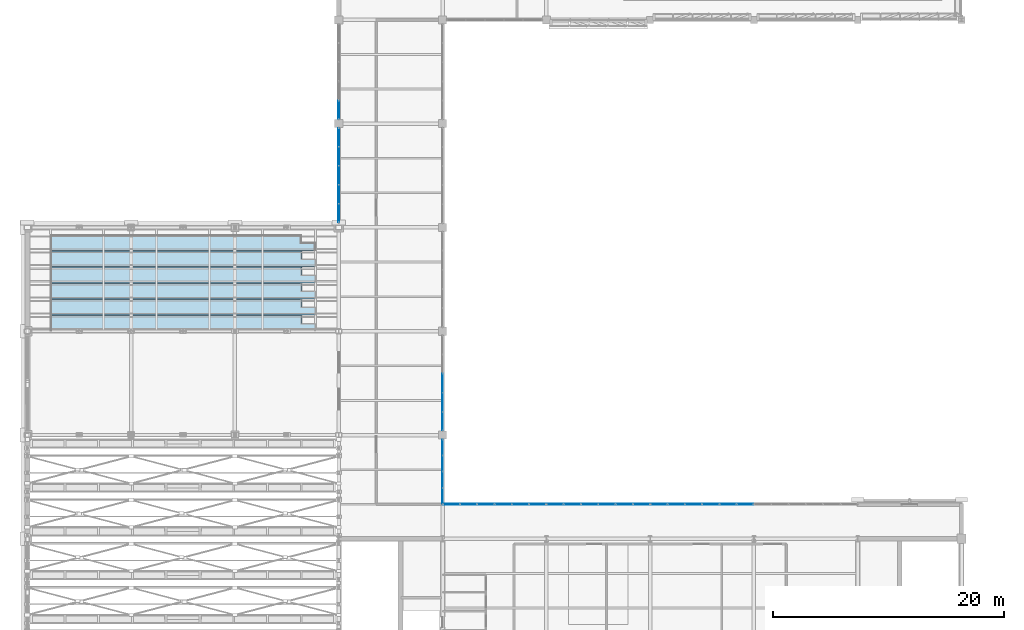
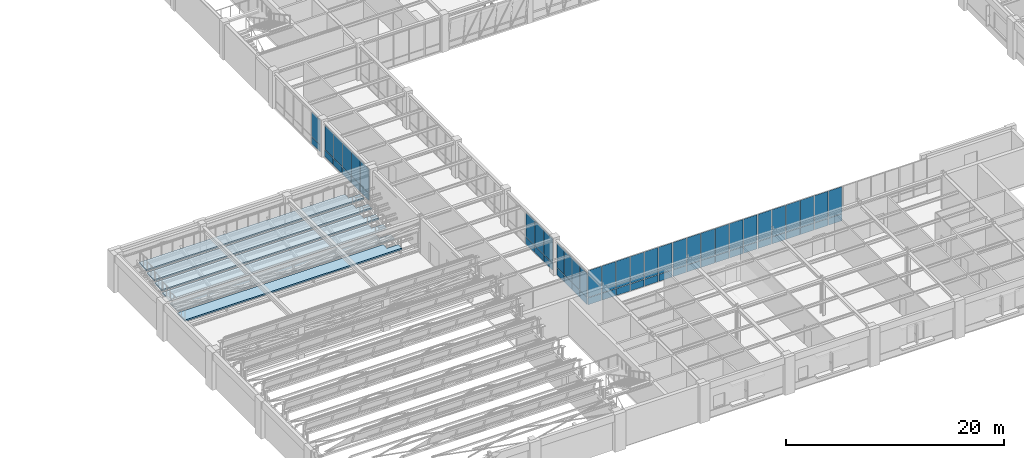
# One storey, part 80 of 108: 62 plates, 6 slabs, 7 elements without a shape of their own.
"""IFC4 building model written with IfcOpenShell, lengths in metres."""

from ifc_helpers import new_model, si_unit, direction, frame, origin, origin_2d, place, context, subcontext, project, spatial, polyline, rectangle, outline, extrude, material, layer, layer_set, type_object, element, aggregate, save


model = new_model("IFC4")

# Units and contexts
model_context = context("Model", 3, precision=1e-05, world=origin(), true_north=direction((0.0, 1.0)))
body_context = subcontext(model_context, "Body", "Model", "MODEL_VIEW")
ifc_project = project(units=[si_unit("LENGTHUNIT", "METRE"), si_unit("AREAUNIT", "SQUARE_METRE"), si_unit("VOLUMEUNIT", "CUBIC_METRE"), si_unit("PLANEANGLEUNIT", "RADIAN"), si_unit("MASSUNIT", "GRAM", prefix="KILO")], contexts=[model_context])

# Site, building, storey
site_placement = place(None, origin())
site = spatial("IfcSite", under=ifc_project, at=site_placement, CompositionType="ELEMENT")
building_placement = place(site_placement, origin())
building = spatial("IfcBuilding", under=site, at=building_placement, Name="Lykobir Media Centre", CompositionType="ELEMENT")
storey_placement = place(building_placement, frame((0.0, 0.0, 15.0)))
storey = spatial("IfcBuildingStorey", under=building, at=storey_placement, Name="L03", CompositionType="ELEMENT", Elevation=15.0)

# Curtain wall, plates
ifc_material_1 = material(Name="Anodized Aluminium AW-6060", Category="aluminium")
curtain_wall_type = type_object("IfcCurtainWallType", Name="CW-COURT-B", PredefinedType="NOTDEFINED", material=ifc_material_1)
curtain_wall_1_placement = place(storey_placement, origin())
curtain_wall_1 = element("IfcCurtainWall", 1, at=curtain_wall_1_placement, inside=storey, type_object=curtain_wall_type, Name="Curtain wall CW2-L03-0111", PredefinedType="NOTDEFINED")
ifc_material_2 = material(Name="Low-E Laminated Triple Glazing", Category="glass")
ifc_layer_1 = layer(ifc_material_2, 0.0380859375, Name="Low-E Laminated Triple Glazing")
ifc_layer_set_1 = layer_set([ifc_layer_1], Name="Low-E Laminated Triple Glazing")
plate_type_1 = type_object("IfcPlateType", Name="CWP-GLZ-38", PredefinedType="CURTAIN_PANEL", material=ifc_layer_set_1)
plate_1_placement = place(storey_placement, frame((36.763916015625, 21.0, 0.87744140625), z_axis=(0.0, 0.0, 1.0), x_axis=(1.0, 0.0, 0.0)))
plate_1 = element("IfcPlate", 2, at=plate_1_placement, type_object=plate_type_1, Name="CW2-L03-0111 panel 1.2", PredefinedType="CURTAIN_PANEL", context=body_context, shape_type="SweptSolid", body=[
    extrude(rectangle(XDim=1.41748046875, YDim=0.0380859375, at=origin_2d()), origin(), (0.0, 0.0, 1.0), 3.007568359375),
])
plate_2_placement = place(storey_placement, frame((38.25, 21.0, 0.87744140625), z_axis=(0.0, 0.0, 1.0), x_axis=(1.0, 0.0, 0.0)))
plate_2 = element("IfcPlate", 3, at=plate_2_placement, type_object=plate_type_1, Name="CW2-L03-0111 panel 2.2", PredefinedType="CURTAIN_PANEL", context=body_context, shape_type="SweptSolid", body=[
    extrude(rectangle(XDim=1.445068359375, YDim=0.0380859375, at=origin_2d()), origin(), (0.0, 0.0, 1.0), 3.007568359375),
])
plate_3_placement = place(storey_placement, frame((39.75, 21.0, 0.87744140625), z_axis=(0.0, 0.0, 1.0), x_axis=(1.0, 0.0, 0.0)))
plate_3 = element("IfcPlate", 4, at=plate_3_placement, type_object=plate_type_1, Name="CW2-L03-0111 panel 3.2", PredefinedType="CURTAIN_PANEL", context=body_context, shape_type="SweptSolid", body=[
    extrude(rectangle(XDim=1.445068359375, YDim=0.0380859375, at=origin_2d()), origin(), (0.0, 0.0, 1.0), 3.007568359375),
])
plate_4_placement = place(storey_placement, frame((41.25, 21.0, 0.87744140625), z_axis=(0.0, 0.0, 1.0), x_axis=(1.0, 0.0, 0.0)))
plate_4 = element("IfcPlate", 5, at=plate_4_placement, type_object=plate_type_1, Name="CW2-L03-0111 panel 4.2", PredefinedType="CURTAIN_PANEL", context=body_context, shape_type="SweptSolid", body=[
    extrude(rectangle(XDim=1.445068359375, YDim=0.0380859375, at=origin_2d()), origin(), (0.0, 0.0, 1.0), 3.007568359375),
])
plate_5_placement = place(storey_placement, frame((42.75, 21.0, 0.87744140625), z_axis=(0.0, 0.0, 1.0), x_axis=(1.0, 0.0, 0.0)))
plate_5 = element("IfcPlate", 6, at=plate_5_placement, type_object=plate_type_1, Name="CW2-L03-0111 panel 5.2", PredefinedType="CURTAIN_PANEL", context=body_context, shape_type="SweptSolid", body=[
    extrude(rectangle(XDim=1.445068359375, YDim=0.0380859375, at=origin_2d()), origin(), (0.0, 0.0, 1.0), 3.007568359375),
])
plate_6_placement = place(storey_placement, frame((44.236083984375, 21.0, 0.87744140625), z_axis=(0.0, 0.0, 1.0), x_axis=(1.0, 0.0, 0.0)))
plate_6 = element("IfcPlate", 7, at=plate_6_placement, type_object=plate_type_1, Name="CW2-L03-0111 panel 6.2", PredefinedType="CURTAIN_PANEL", context=body_context, shape_type="SweptSolid", body=[
    extrude(rectangle(XDim=1.41748046875, YDim=0.0380859375, at=origin_2d()), origin(), (0.0, 0.0, 1.0), 3.007568359375),
])

curtain_wall_2_placement = place(storey_placement, origin())
curtain_wall_2 = element("IfcCurtainWall", 8, at=curtain_wall_2_placement, inside=storey, type_object=curtain_wall_type, Name="Curtain wall CW2-L03-0112", PredefinedType="NOTDEFINED")
plate_7_placement = place(storey_placement, frame((45.763916015625, 21.0, 0.87744140625), z_axis=(0.0, 0.0, 1.0), x_axis=(1.0, 0.0, 0.0)))
plate_7 = element("IfcPlate", 9, at=plate_7_placement, type_object=plate_type_1, Name="CW2-L03-0112 panel 1.2", PredefinedType="CURTAIN_PANEL", context=body_context, shape_type="SweptSolid", body=[
    extrude(rectangle(XDim=1.41748046875, YDim=0.0380859375, at=origin_2d()), origin(), (0.0, 0.0, 1.0), 3.007568359375),
])
plate_8_placement = place(storey_placement, frame((47.25, 21.0, 0.87744140625), z_axis=(0.0, 0.0, 1.0), x_axis=(1.0, 0.0, 0.0)))
plate_8 = element("IfcPlate", 10, at=plate_8_placement, type_object=plate_type_1, Name="CW2-L03-0112 panel 2.2", PredefinedType="CURTAIN_PANEL", context=body_context, shape_type="SweptSolid", body=[
    extrude(rectangle(XDim=1.445068359375, YDim=0.0380859375, at=origin_2d()), origin(), (0.0, 0.0, 1.0), 3.007568359375),
])
plate_9_placement = place(storey_placement, frame((48.75, 21.0, 0.87744140625), z_axis=(0.0, 0.0, 1.0), x_axis=(1.0, 0.0, 0.0)))
plate_9 = element("IfcPlate", 11, at=plate_9_placement, type_object=plate_type_1, Name="CW2-L03-0112 panel 3.2", PredefinedType="CURTAIN_PANEL", context=body_context, shape_type="SweptSolid", body=[
    extrude(rectangle(XDim=1.445068359375, YDim=0.0380859375, at=origin_2d()), origin(), (0.0, 0.0, 1.0), 3.007568359375),
])
plate_10_placement = place(storey_placement, frame((50.25, 21.0, 0.87744140625), z_axis=(0.0, 0.0, 1.0), x_axis=(1.0, 0.0, 0.0)))
plate_10 = element("IfcPlate", 12, at=plate_10_placement, type_object=plate_type_1, Name="CW2-L03-0112 panel 4.2", PredefinedType="CURTAIN_PANEL", context=body_context, shape_type="SweptSolid", body=[
    extrude(rectangle(XDim=1.445068359375, YDim=0.0380859375, at=origin_2d()), origin(), (0.0, 0.0, 1.0), 3.007568359375),
])
plate_11_placement = place(storey_placement, frame((51.75, 21.0, 0.87744140625), z_axis=(0.0, 0.0, 1.0), x_axis=(1.0, 0.0, 0.0)))
plate_11 = element("IfcPlate", 13, at=plate_11_placement, type_object=plate_type_1, Name="CW2-L03-0112 panel 5.2", PredefinedType="CURTAIN_PANEL", context=body_context, shape_type="SweptSolid", body=[
    extrude(rectangle(XDim=1.445068359375, YDim=0.0380859375, at=origin_2d()), origin(), (0.0, 0.0, 1.0), 3.007568359375),
])
plate_12_placement = place(storey_placement, frame((53.236083984375, 21.0, 0.87744140625), z_axis=(0.0, 0.0, 1.0), x_axis=(1.0, 0.0, 0.0)))
plate_12 = element("IfcPlate", 14, at=plate_12_placement, type_object=plate_type_1, Name="CW2-L03-0112 panel 6.2", PredefinedType="CURTAIN_PANEL", context=body_context, shape_type="SweptSolid", body=[
    extrude(rectangle(XDim=1.41748046875, YDim=0.0380859375, at=origin_2d()), origin(), (0.0, 0.0, 1.0), 3.007568359375),
])

curtain_wall_3_placement = place(storey_placement, origin())
curtain_wall_3 = element("IfcCurtainWall", 15, at=curtain_wall_3_placement, inside=storey, type_object=curtain_wall_type, Name="Curtain wall CW2-L03-0113", PredefinedType="NOTDEFINED")
plate_13_placement = place(storey_placement, frame((54.763916015625, 21.0, 0.87744140625), z_axis=(0.0, 0.0, 1.0), x_axis=(1.0, 0.0, 0.0)))
plate_13 = element("IfcPlate", 16, at=plate_13_placement, type_object=plate_type_1, Name="CW2-L03-0113 panel 1.2", PredefinedType="CURTAIN_PANEL", context=body_context, shape_type="SweptSolid", body=[
    extrude(rectangle(XDim=1.41748046875, YDim=0.0380859375, at=origin_2d()), origin(), (0.0, 0.0, 1.0), 3.007568359375),
])
plate_14_placement = place(storey_placement, frame((56.25, 21.0, 0.87744140625), z_axis=(0.0, 0.0, 1.0), x_axis=(1.0, 0.0, 0.0)))
plate_14 = element("IfcPlate", 17, at=plate_14_placement, type_object=plate_type_1, Name="CW2-L03-0113 panel 2.2", PredefinedType="CURTAIN_PANEL", context=body_context, shape_type="SweptSolid", body=[
    extrude(rectangle(XDim=1.445068359375, YDim=0.0380859375, at=origin_2d()), origin(), (0.0, 0.0, 1.0), 3.007568359375),
])
plate_15_placement = place(storey_placement, frame((57.75, 21.0, 0.87744140625), z_axis=(0.0, 0.0, 1.0), x_axis=(1.0, 0.0, 0.0)))
plate_15 = element("IfcPlate", 18, at=plate_15_placement, type_object=plate_type_1, Name="CW2-L03-0113 panel 3.2", PredefinedType="CURTAIN_PANEL", context=body_context, shape_type="SweptSolid", body=[
    extrude(rectangle(XDim=1.445068359375, YDim=0.0380859375, at=origin_2d()), origin(), (0.0, 0.0, 1.0), 3.007568359375),
])
plate_16_placement = place(storey_placement, frame((59.25, 21.0, 0.87744140625), z_axis=(0.0, 0.0, 1.0), x_axis=(1.0, 0.0, 0.0)))
plate_16 = element("IfcPlate", 19, at=plate_16_placement, type_object=plate_type_1, Name="CW2-L03-0113 panel 4.2", PredefinedType="CURTAIN_PANEL", context=body_context, shape_type="SweptSolid", body=[
    extrude(rectangle(XDim=1.445068359375, YDim=0.0380859375, at=origin_2d()), origin(), (0.0, 0.0, 1.0), 3.007568359375),
])
plate_17_placement = place(storey_placement, frame((60.75, 21.0, 0.87744140625), z_axis=(0.0, 0.0, 1.0), x_axis=(1.0, 0.0, 0.0)))
plate_17 = element("IfcPlate", 20, at=plate_17_placement, type_object=plate_type_1, Name="CW2-L03-0113 panel 5.2", PredefinedType="CURTAIN_PANEL", context=body_context, shape_type="SweptSolid", body=[
    extrude(rectangle(XDim=1.445068359375, YDim=0.0380859375, at=origin_2d()), origin(), (0.0, 0.0, 1.0), 3.007568359375),
])
plate_18_placement = place(storey_placement, frame((62.236083984375, 21.0, 0.87744140625), z_axis=(0.0, 0.0, 1.0), x_axis=(1.0, 0.0, 0.0)))
plate_18 = element("IfcPlate", 21, at=plate_18_placement, type_object=plate_type_1, Name="CW2-L03-0113 panel 6.2", PredefinedType="CURTAIN_PANEL", context=body_context, shape_type="SweptSolid", body=[
    extrude(rectangle(XDim=1.41748046875, YDim=0.0380859375, at=origin_2d()), origin(), (0.0, 0.0, 1.0), 3.007568359375),
])

curtain_wall_4_placement = place(storey_placement, origin())
curtain_wall_4 = element("IfcCurtainWall", 22, at=curtain_wall_4_placement, inside=storey, type_object=curtain_wall_type, Name="Curtain wall CW2-L03-0115", PredefinedType="NOTDEFINED")
plate_19_placement = place(storey_placement, frame((36.0, 25.925537109375, 0.87744140625), z_axis=(0.0, 0.0, 1.0), x_axis=(0.0, -1.0, 0.0)))
plate_19 = element("IfcPlate", 23, at=plate_19_placement, type_object=plate_type_1, Name="CW2-L03-0115 panel 1.2", PredefinedType="CURTAIN_PANEL", context=body_context, shape_type="SweptSolid", body=[
    extrude(rectangle(XDim=1.32861328125, YDim=0.0380859375, at=origin_2d()), origin(), (0.0, 0.0, 1.0), 2.702392578125),
])
plate_20_placement = place(storey_placement, frame((36.0, 24.528076171875, 0.87744140625), z_axis=(0.0, 0.0, 1.0), x_axis=(0.0, -1.0, 0.0)))
plate_20 = element("IfcPlate", 24, at=plate_20_placement, type_object=plate_type_1, Name="CW2-L03-0115 panel 2.2", PredefinedType="CURTAIN_PANEL", context=body_context, shape_type="SweptSolid", body=[
    extrude(rectangle(XDim=1.356201171875, YDim=0.0380859375, at=origin_2d()), origin(), (0.0, 0.0, 1.0), 2.702392578125),
])
plate_21_placement = place(storey_placement, frame((36.0, 23.116943359375, 0.87744140625), z_axis=(0.0, 0.0, 1.0), x_axis=(0.0, -1.0, 0.0)))
plate_21 = element("IfcPlate", 25, at=plate_21_placement, type_object=plate_type_1, Name="CW2-L03-0115 panel 3.2", PredefinedType="CURTAIN_PANEL", context=body_context, shape_type="SweptSolid", body=[
    extrude(rectangle(XDim=1.356201171875, YDim=0.0380859375, at=origin_2d()), origin(), (0.0, 0.0, 1.0), 2.702392578125),
])
plate_22_placement = place(storey_placement, frame((36.0, 21.719482421875, 0.87744140625), z_axis=(0.0, 0.0, 1.0), x_axis=(0.0, -1.0, 0.0)))
plate_22 = element("IfcPlate", 26, at=plate_22_placement, type_object=plate_type_1, Name="CW2-L03-0115 panel 4.2", PredefinedType="CURTAIN_PANEL", context=body_context, shape_type="SweptSolid", body=[
    extrude(rectangle(XDim=1.328857421875, YDim=0.0380859375, at=origin_2d()), origin(), (0.0, 0.0, 1.0), 2.702392578125),
])

curtain_wall_5_placement = place(storey_placement, origin())
curtain_wall_5 = element("IfcCurtainWall", 27, at=curtain_wall_5_placement, inside=storey, type_object=curtain_wall_type, Name="Curtain wall CW2-L03-0116", PredefinedType="NOTDEFINED")
plate_23_placement = place(storey_placement, frame((36.0, 31.5, 0.87744140625), z_axis=(0.0, 0.0, 1.0), x_axis=(0.0, -1.0, 0.0)))
plate_23 = element("IfcPlate", 28, at=plate_23_placement, type_object=plate_type_1, Name="CW2-L03-0116 panel 3.2", PredefinedType="CURTAIN_PANEL", context=body_context, shape_type="SweptSolid", body=[
    extrude(rectangle(XDim=1.60302734375, YDim=0.0380859375, at=origin_2d()), origin(), (0.0, 0.0, 1.0), 2.702392578125),
])
plate_24_placement = place(storey_placement, frame((36.0, 29.842041015625, 0.87744140625), z_axis=(0.0, 0.0, 1.0), x_axis=(0.0, -1.0, 0.0)))
plate_24 = element("IfcPlate", 29, at=plate_24_placement, type_object=plate_type_1, Name="CW2-L03-0116 panel 4.2", PredefinedType="CURTAIN_PANEL", context=body_context, shape_type="SweptSolid", body=[
    extrude(rectangle(XDim=1.60302734375, YDim=0.0380859375, at=origin_2d()), origin(), (0.0, 0.0, 1.0), 2.702392578125),
])
plate_25_placement = place(storey_placement, frame((36.0, 28.19775390625, 0.87744140625), z_axis=(0.0, 0.0, 1.0), x_axis=(0.0, -1.0, 0.0)))
plate_25 = element("IfcPlate", 30, at=plate_25_placement, type_object=plate_type_1, Name="CW2-L03-0116 panel 5.2", PredefinedType="CURTAIN_PANEL", context=body_context, shape_type="SweptSolid", body=[
    extrude(rectangle(XDim=1.575439453125, YDim=0.0380859375, at=origin_2d()), origin(), (0.0, 0.0, 1.0), 2.702392578125),
])

curtain_wall_6_placement = place(storey_placement, origin())
curtain_wall_6 = element("IfcCurtainWall", 31, at=curtain_wall_6_placement, inside=storey, type_object=curtain_wall_type, Name="Curtain wall CW2-L03-0135", PredefinedType="NOTDEFINED")
plate_26_placement = place(storey_placement, frame((27.0, 46.242919921875, 0.87744140625), z_axis=(0.0, 0.0, 1.0), x_axis=(0.0, 1.0, 0.0)))
plate_26 = element("IfcPlate", 32, at=plate_26_placement, type_object=plate_type_1, Name="CW2-L03-0135 panel 1.2", PredefinedType="CURTAIN_PANEL", context=body_context, shape_type="SweptSolid", body=[
    extrude(rectangle(XDim=1.5654296875, YDim=0.0380859375, at=origin_2d()), origin(), (0.0, 0.0, 1.0), 2.6904296875),
])
plate_27_placement = place(storey_placement, frame((27.0, 47.876953125, 0.87744140625), z_axis=(0.0, 0.0, 1.0), x_axis=(0.0, 1.0, 0.0)))
plate_27 = element("IfcPlate", 33, at=plate_27_placement, type_object=plate_type_1, Name="CW2-L03-0135 panel 2.2", PredefinedType="CURTAIN_PANEL", context=body_context, shape_type="SweptSolid", body=[
    extrude(rectangle(XDim=1.593017578125, YDim=0.0380859375, at=origin_2d()), origin(), (0.0, 0.0, 1.0), 2.6904296875),
])
plate_28_placement = place(storey_placement, frame((27.0, 49.52490234375, 0.87744140625), z_axis=(0.0, 0.0, 1.0), x_axis=(0.0, 1.0, 0.0)))
plate_28 = element("IfcPlate", 34, at=plate_28_placement, type_object=plate_type_1, Name="CW2-L03-0135 panel 3.2", PredefinedType="CURTAIN_PANEL", context=body_context, shape_type="SweptSolid", body=[
    extrude(rectangle(XDim=1.593017578125, YDim=0.0380859375, at=origin_2d()), origin(), (0.0, 0.0, 1.0), 2.6904296875),
])
plate_29_placement = place(storey_placement, frame((27.0, 51.173095703125, 0.87744140625), z_axis=(0.0, 0.0, 1.0), x_axis=(0.0, 1.0, 0.0)))
plate_29 = element("IfcPlate", 35, at=plate_29_placement, type_object=plate_type_1, Name="CW2-L03-0135 panel 4.2", PredefinedType="CURTAIN_PANEL", context=body_context, shape_type="SweptSolid", body=[
    extrude(rectangle(XDim=1.593017578125, YDim=0.0380859375, at=origin_2d()), origin(), (0.0, 0.0, 1.0), 2.6904296875),
])
plate_30_placement = place(storey_placement, frame((27.0, 52.807373046875, 0.87744140625), z_axis=(0.0, 0.0, 1.0), x_axis=(0.0, 1.0, 0.0)))
plate_30 = element("IfcPlate", 36, at=plate_30_placement, type_object=plate_type_1, Name="CW2-L03-0135 panel 5.2", PredefinedType="CURTAIN_PANEL", context=body_context, shape_type="SweptSolid", body=[
    extrude(rectangle(XDim=1.5654296875, YDim=0.0380859375, at=origin_2d()), origin(), (0.0, 0.0, 1.0), 2.6904296875),
])

# Curtain wall, plate
curtain_wall_7_placement = place(storey_placement, origin())
curtain_wall_7 = element("IfcCurtainWall", 37, at=curtain_wall_7_placement, inside=storey, type_object=curtain_wall_type, Name="Curtain wall CW2-L03-0136", PredefinedType="NOTDEFINED")
plate_31_placement = place(storey_placement, frame((27.0, 55.19775390625, 0.87744140625), z_axis=(0.0, 0.0, 1.0), x_axis=(0.0, 1.0, 0.0)))
plate_31 = element("IfcPlate", 38, at=plate_31_placement, type_object=plate_type_1, Name="CW2-L03-0136 panel 1.2", PredefinedType="CURTAIN_PANEL", context=body_context, shape_type="SweptSolid", body=[
    extrude(rectangle(XDim=1.575439453125, YDim=0.0380859375, at=origin_2d()), origin(), (0.0, 0.0, 1.0), 2.702392578125),
])

# Plate
ifc_material_3 = material(Name="Pre-Weathered Titanium-Zinc", Category="metal")
ifc_layer_2 = layer(ifc_material_3, 0.052001953125, Name="Pre-Weathered Titanium-Zinc")
ifc_layer_set_2 = layer_set([ifc_layer_2], Name="Pre-Weathered Titanium-Zinc")
plate_type_2 = type_object("IfcPlateType", Name="CWP-SPN-52", PredefinedType="CURTAIN_PANEL", material=ifc_layer_set_2)
plate_32_placement = place(storey_placement, frame((36.763916015625, 21.0, 0.054931640625), z_axis=(0.0, 0.0, 1.0), x_axis=(1.0, 0.0, 0.0)))
plate_32 = element("IfcPlate", 39, at=plate_32_placement, type_object=plate_type_2, Name="CW2-L03-0111 panel 1.1", PredefinedType="CURTAIN_PANEL", context=body_context, shape_type="SweptSolid", body=[
    extrude(rectangle(XDim=1.41748046875, YDim=0.052001953125, at=origin_2d()), origin(), (0.0, 0.0, 1.0), 0.767578125),
])

plate_33_placement = place(storey_placement, frame((38.25, 21.0, 0.054931640625), z_axis=(0.0, 0.0, 1.0), x_axis=(1.0, 0.0, 0.0)))
plate_33 = element("IfcPlate", 40, at=plate_33_placement, type_object=plate_type_2, Name="CW2-L03-0111 panel 2.1", PredefinedType="CURTAIN_PANEL", context=body_context, shape_type="SweptSolid", body=[
    extrude(rectangle(XDim=1.445068359375, YDim=0.052001953125, at=origin_2d()), origin(), (0.0, 0.0, 1.0), 0.767578125),
])

plate_34_placement = place(storey_placement, frame((39.75, 21.0, 0.054931640625), z_axis=(0.0, 0.0, 1.0), x_axis=(1.0, 0.0, 0.0)))
plate_34 = element("IfcPlate", 41, at=plate_34_placement, type_object=plate_type_2, Name="CW2-L03-0111 panel 3.1", PredefinedType="CURTAIN_PANEL", context=body_context, shape_type="SweptSolid", body=[
    extrude(rectangle(XDim=1.445068359375, YDim=0.052001953125, at=origin_2d()), origin(), (0.0, 0.0, 1.0), 0.767578125),
])

plate_35_placement = place(storey_placement, frame((41.25, 21.0, 0.054931640625), z_axis=(0.0, 0.0, 1.0), x_axis=(1.0, 0.0, 0.0)))
plate_35 = element("IfcPlate", 42, at=plate_35_placement, type_object=plate_type_2, Name="CW2-L03-0111 panel 4.1", PredefinedType="CURTAIN_PANEL", context=body_context, shape_type="SweptSolid", body=[
    extrude(rectangle(XDim=1.445068359375, YDim=0.052001953125, at=origin_2d()), origin(), (0.0, 0.0, 1.0), 0.767578125),
])

plate_36_placement = place(storey_placement, frame((42.75, 21.0, 0.054931640625), z_axis=(0.0, 0.0, 1.0), x_axis=(1.0, 0.0, 0.0)))
plate_36 = element("IfcPlate", 43, at=plate_36_placement, type_object=plate_type_2, Name="CW2-L03-0111 panel 5.1", PredefinedType="CURTAIN_PANEL", context=body_context, shape_type="SweptSolid", body=[
    extrude(rectangle(XDim=1.445068359375, YDim=0.052001953125, at=origin_2d()), origin(), (0.0, 0.0, 1.0), 0.767578125),
])

plate_37_placement = place(storey_placement, frame((44.236083984375, 21.0, 0.054931640625), z_axis=(0.0, 0.0, 1.0), x_axis=(1.0, 0.0, 0.0)))
plate_37 = element("IfcPlate", 44, at=plate_37_placement, type_object=plate_type_2, Name="CW2-L03-0111 panel 6.1", PredefinedType="CURTAIN_PANEL", context=body_context, shape_type="SweptSolid", body=[
    extrude(rectangle(XDim=1.41748046875, YDim=0.052001953125, at=origin_2d()), origin(), (0.0, 0.0, 1.0), 0.767578125),
])

aggregate(curtain_wall_1, [plate_32, plate_1, plate_33, plate_2, plate_34, plate_3, plate_35, plate_4, plate_36, plate_5, plate_37, plate_6])

plate_38_placement = place(storey_placement, frame((45.763916015625, 21.0, 0.054931640625), z_axis=(0.0, 0.0, 1.0), x_axis=(1.0, 0.0, 0.0)))
plate_38 = element("IfcPlate", 45, at=plate_38_placement, type_object=plate_type_2, Name="CW2-L03-0112 panel 1.1", PredefinedType="CURTAIN_PANEL", context=body_context, shape_type="SweptSolid", body=[
    extrude(rectangle(XDim=1.41748046875, YDim=0.052001953125, at=origin_2d()), origin(), (0.0, 0.0, 1.0), 0.767578125),
])

plate_39_placement = place(storey_placement, frame((47.25, 21.0, 0.054931640625), z_axis=(0.0, 0.0, 1.0), x_axis=(1.0, 0.0, 0.0)))
plate_39 = element("IfcPlate", 46, at=plate_39_placement, type_object=plate_type_2, Name="CW2-L03-0112 panel 2.1", PredefinedType="CURTAIN_PANEL", context=body_context, shape_type="SweptSolid", body=[
    extrude(rectangle(XDim=1.445068359375, YDim=0.052001953125, at=origin_2d()), origin(), (0.0, 0.0, 1.0), 0.767578125),
])

plate_40_placement = place(storey_placement, frame((48.75, 21.0, 0.054931640625), z_axis=(0.0, 0.0, 1.0), x_axis=(1.0, 0.0, 0.0)))
plate_40 = element("IfcPlate", 47, at=plate_40_placement, type_object=plate_type_2, Name="CW2-L03-0112 panel 3.1", PredefinedType="CURTAIN_PANEL", context=body_context, shape_type="SweptSolid", body=[
    extrude(rectangle(XDim=1.445068359375, YDim=0.052001953125, at=origin_2d()), origin(), (0.0, 0.0, 1.0), 0.767578125),
])

plate_41_placement = place(storey_placement, frame((50.25, 21.0, 0.054931640625), z_axis=(0.0, 0.0, 1.0), x_axis=(1.0, 0.0, 0.0)))
plate_41 = element("IfcPlate", 48, at=plate_41_placement, type_object=plate_type_2, Name="CW2-L03-0112 panel 4.1", PredefinedType="CURTAIN_PANEL", context=body_context, shape_type="SweptSolid", body=[
    extrude(rectangle(XDim=1.445068359375, YDim=0.052001953125, at=origin_2d()), origin(), (0.0, 0.0, 1.0), 0.767578125),
])

plate_42_placement = place(storey_placement, frame((51.75, 21.0, 0.054931640625), z_axis=(0.0, 0.0, 1.0), x_axis=(1.0, 0.0, 0.0)))
plate_42 = element("IfcPlate", 49, at=plate_42_placement, type_object=plate_type_2, Name="CW2-L03-0112 panel 5.1", PredefinedType="CURTAIN_PANEL", context=body_context, shape_type="SweptSolid", body=[
    extrude(rectangle(XDim=1.445068359375, YDim=0.052001953125, at=origin_2d()), origin(), (0.0, 0.0, 1.0), 0.767578125),
])

plate_43_placement = place(storey_placement, frame((53.236083984375, 21.0, 0.054931640625), z_axis=(0.0, 0.0, 1.0), x_axis=(1.0, 0.0, 0.0)))
plate_43 = element("IfcPlate", 50, at=plate_43_placement, type_object=plate_type_2, Name="CW2-L03-0112 panel 6.1", PredefinedType="CURTAIN_PANEL", context=body_context, shape_type="SweptSolid", body=[
    extrude(rectangle(XDim=1.41748046875, YDim=0.052001953125, at=origin_2d()), origin(), (0.0, 0.0, 1.0), 0.767578125),
])

aggregate(curtain_wall_2, [plate_38, plate_7, plate_39, plate_8, plate_40, plate_9, plate_41, plate_10, plate_42, plate_11, plate_43, plate_12])

plate_44_placement = place(storey_placement, frame((54.763916015625, 21.0, 0.054931640625), z_axis=(0.0, 0.0, 1.0), x_axis=(1.0, 0.0, 0.0)))
plate_44 = element("IfcPlate", 51, at=plate_44_placement, type_object=plate_type_2, Name="CW2-L03-0113 panel 1.1", PredefinedType="CURTAIN_PANEL", context=body_context, shape_type="SweptSolid", body=[
    extrude(rectangle(XDim=1.41748046875, YDim=0.052001953125, at=origin_2d()), origin(), (0.0, 0.0, 1.0), 0.767578125),
])

plate_45_placement = place(storey_placement, frame((56.25, 21.0, 0.054931640625), z_axis=(0.0, 0.0, 1.0), x_axis=(1.0, 0.0, 0.0)))
plate_45 = element("IfcPlate", 52, at=plate_45_placement, type_object=plate_type_2, Name="CW2-L03-0113 panel 2.1", PredefinedType="CURTAIN_PANEL", context=body_context, shape_type="SweptSolid", body=[
    extrude(rectangle(XDim=1.445068359375, YDim=0.052001953125, at=origin_2d()), origin(), (0.0, 0.0, 1.0), 0.767578125),
])

plate_46_placement = place(storey_placement, frame((57.75, 21.0, 0.054931640625), z_axis=(0.0, 0.0, 1.0), x_axis=(1.0, 0.0, 0.0)))
plate_46 = element("IfcPlate", 53, at=plate_46_placement, type_object=plate_type_2, Name="CW2-L03-0113 panel 3.1", PredefinedType="CURTAIN_PANEL", context=body_context, shape_type="SweptSolid", body=[
    extrude(rectangle(XDim=1.445068359375, YDim=0.052001953125, at=origin_2d()), origin(), (0.0, 0.0, 1.0), 0.767578125),
])

plate_47_placement = place(storey_placement, frame((59.25, 21.0, 0.054931640625), z_axis=(0.0, 0.0, 1.0), x_axis=(1.0, 0.0, 0.0)))
plate_47 = element("IfcPlate", 54, at=plate_47_placement, type_object=plate_type_2, Name="CW2-L03-0113 panel 4.1", PredefinedType="CURTAIN_PANEL", context=body_context, shape_type="SweptSolid", body=[
    extrude(rectangle(XDim=1.445068359375, YDim=0.052001953125, at=origin_2d()), origin(), (0.0, 0.0, 1.0), 0.767578125),
])

plate_48_placement = place(storey_placement, frame((60.75, 21.0, 0.054931640625), z_axis=(0.0, 0.0, 1.0), x_axis=(1.0, 0.0, 0.0)))
plate_48 = element("IfcPlate", 55, at=plate_48_placement, type_object=plate_type_2, Name="CW2-L03-0113 panel 5.1", PredefinedType="CURTAIN_PANEL", context=body_context, shape_type="SweptSolid", body=[
    extrude(rectangle(XDim=1.445068359375, YDim=0.052001953125, at=origin_2d()), origin(), (0.0, 0.0, 1.0), 0.767578125),
])

plate_49_placement = place(storey_placement, frame((62.236083984375, 21.0, 0.054931640625), z_axis=(0.0, 0.0, 1.0), x_axis=(1.0, 0.0, 0.0)))
plate_49 = element("IfcPlate", 56, at=plate_49_placement, type_object=plate_type_2, Name="CW2-L03-0113 panel 6.1", PredefinedType="CURTAIN_PANEL", context=body_context, shape_type="SweptSolid", body=[
    extrude(rectangle(XDim=1.41748046875, YDim=0.052001953125, at=origin_2d()), origin(), (0.0, 0.0, 1.0), 0.767578125),
])

aggregate(curtain_wall_3, [plate_44, plate_13, plate_45, plate_14, plate_46, plate_15, plate_47, plate_16, plate_48, plate_17, plate_49, plate_18])

plate_50_placement = place(storey_placement, frame((36.0, 25.925537109375, 0.054931640625), z_axis=(0.0, 0.0, 1.0), x_axis=(0.0, -1.0, 0.0)))
plate_50 = element("IfcPlate", 57, at=plate_50_placement, type_object=plate_type_2, Name="CW2-L03-0115 panel 1.1", PredefinedType="CURTAIN_PANEL", context=body_context, shape_type="SweptSolid", body=[
    extrude(rectangle(XDim=1.32861328125, YDim=0.052001953125, at=origin_2d()), origin(), (0.0, 0.0, 1.0), 0.767578125),
])

plate_51_placement = place(storey_placement, frame((36.0, 24.528076171875, 0.054931640625), z_axis=(0.0, 0.0, 1.0), x_axis=(0.0, -1.0, 0.0)))
plate_51 = element("IfcPlate", 58, at=plate_51_placement, type_object=plate_type_2, Name="CW2-L03-0115 panel 2.1", PredefinedType="CURTAIN_PANEL", context=body_context, shape_type="SweptSolid", body=[
    extrude(rectangle(XDim=1.356201171875, YDim=0.052001953125, at=origin_2d()), origin(), (0.0, 0.0, 1.0), 0.767578125),
])

plate_52_placement = place(storey_placement, frame((36.0, 23.116943359375, 0.054931640625), z_axis=(0.0, 0.0, 1.0), x_axis=(0.0, -1.0, 0.0)))
plate_52 = element("IfcPlate", 59, at=plate_52_placement, type_object=plate_type_2, Name="CW2-L03-0115 panel 3.1", PredefinedType="CURTAIN_PANEL", context=body_context, shape_type="SweptSolid", body=[
    extrude(rectangle(XDim=1.356201171875, YDim=0.052001953125, at=origin_2d()), origin(), (0.0, 0.0, 1.0), 0.767578125),
])

plate_53_placement = place(storey_placement, frame((36.0, 21.719482421875, 0.054931640625), z_axis=(0.0, 0.0, 1.0), x_axis=(0.0, -1.0, 0.0)))
plate_53 = element("IfcPlate", 60, at=plate_53_placement, type_object=plate_type_2, Name="CW2-L03-0115 panel 4.1", PredefinedType="CURTAIN_PANEL", context=body_context, shape_type="SweptSolid", body=[
    extrude(rectangle(XDim=1.328857421875, YDim=0.052001953125, at=origin_2d()), origin(), (0.0, 0.0, 1.0), 0.767578125),
])

aggregate(curtain_wall_4, [plate_50, plate_19, plate_51, plate_20, plate_52, plate_21, plate_53, plate_22])

plate_54_placement = place(storey_placement, frame((36.0, 31.5, 0.054931640625), z_axis=(0.0, 0.0, 1.0), x_axis=(0.0, -1.0, 0.0)))
plate_54 = element("IfcPlate", 61, at=plate_54_placement, type_object=plate_type_2, Name="CW2-L03-0116 panel 3.1", PredefinedType="CURTAIN_PANEL", context=body_context, shape_type="SweptSolid", body=[
    extrude(rectangle(XDim=1.60302734375, YDim=0.052001953125, at=origin_2d()), origin(), (0.0, 0.0, 1.0), 0.767578125),
])

plate_55_placement = place(storey_placement, frame((36.0, 29.842041015625, 0.054931640625), z_axis=(0.0, 0.0, 1.0), x_axis=(0.0, -1.0, 0.0)))
plate_55 = element("IfcPlate", 62, at=plate_55_placement, type_object=plate_type_2, Name="CW2-L03-0116 panel 4.1", PredefinedType="CURTAIN_PANEL", context=body_context, shape_type="SweptSolid", body=[
    extrude(rectangle(XDim=1.60302734375, YDim=0.052001953125, at=origin_2d()), origin(), (0.0, 0.0, 1.0), 0.767578125),
])

plate_56_placement = place(storey_placement, frame((36.0, 28.19775390625, 0.054931640625), z_axis=(0.0, 0.0, 1.0), x_axis=(0.0, -1.0, 0.0)))
plate_56 = element("IfcPlate", 63, at=plate_56_placement, type_object=plate_type_2, Name="CW2-L03-0116 panel 5.1", PredefinedType="CURTAIN_PANEL", context=body_context, shape_type="SweptSolid", body=[
    extrude(rectangle(XDim=1.575439453125, YDim=0.052001953125, at=origin_2d()), origin(), (0.0, 0.0, 1.0), 0.767578125),
])

aggregate(curtain_wall_5, [plate_54, plate_23, plate_55, plate_24, plate_56, plate_25])

plate_57_placement = place(storey_placement, frame((27.0, 46.242919921875, 0.054931640625), z_axis=(0.0, 0.0, 1.0), x_axis=(0.0, 1.0, 0.0)))
plate_57 = element("IfcPlate", 64, at=plate_57_placement, type_object=plate_type_2, Name="CW2-L03-0135 panel 1.1", PredefinedType="CURTAIN_PANEL", context=body_context, shape_type="SweptSolid", body=[
    extrude(rectangle(XDim=1.5654296875, YDim=0.052001953125, at=origin_2d()), origin(), (0.0, 0.0, 1.0), 0.767578125),
])

plate_58_placement = place(storey_placement, frame((27.0, 47.876953125, 0.054931640625), z_axis=(0.0, 0.0, 1.0), x_axis=(0.0, 1.0, 0.0)))
plate_58 = element("IfcPlate", 65, at=plate_58_placement, type_object=plate_type_2, Name="CW2-L03-0135 panel 2.1", PredefinedType="CURTAIN_PANEL", context=body_context, shape_type="SweptSolid", body=[
    extrude(rectangle(XDim=1.593017578125, YDim=0.052001953125, at=origin_2d()), origin(), (0.0, 0.0, 1.0), 0.767578125),
])

plate_59_placement = place(storey_placement, frame((27.0, 49.52490234375, 0.054931640625), z_axis=(0.0, 0.0, 1.0), x_axis=(0.0, 1.0, 0.0)))
plate_59 = element("IfcPlate", 66, at=plate_59_placement, type_object=plate_type_2, Name="CW2-L03-0135 panel 3.1", PredefinedType="CURTAIN_PANEL", context=body_context, shape_type="SweptSolid", body=[
    extrude(rectangle(XDim=1.593017578125, YDim=0.052001953125, at=origin_2d()), origin(), (0.0, 0.0, 1.0), 0.767578125),
])

plate_60_placement = place(storey_placement, frame((27.0, 51.173095703125, 0.054931640625), z_axis=(0.0, 0.0, 1.0), x_axis=(0.0, 1.0, 0.0)))
plate_60 = element("IfcPlate", 67, at=plate_60_placement, type_object=plate_type_2, Name="CW2-L03-0135 panel 4.1", PredefinedType="CURTAIN_PANEL", context=body_context, shape_type="SweptSolid", body=[
    extrude(rectangle(XDim=1.593017578125, YDim=0.052001953125, at=origin_2d()), origin(), (0.0, 0.0, 1.0), 0.767578125),
])

plate_61_placement = place(storey_placement, frame((27.0, 52.807373046875, 0.054931640625), z_axis=(0.0, 0.0, 1.0), x_axis=(0.0, 1.0, 0.0)))
plate_61 = element("IfcPlate", 68, at=plate_61_placement, type_object=plate_type_2, Name="CW2-L03-0135 panel 5.1", PredefinedType="CURTAIN_PANEL", context=body_context, shape_type="SweptSolid", body=[
    extrude(rectangle(XDim=1.5654296875, YDim=0.052001953125, at=origin_2d()), origin(), (0.0, 0.0, 1.0), 0.767578125),
])

aggregate(curtain_wall_6, [plate_57, plate_26, plate_58, plate_27, plate_59, plate_28, plate_60, plate_29, plate_61, plate_30])

plate_62_placement = place(storey_placement, frame((27.0, 55.19775390625, 0.054931640625), z_axis=(0.0, 0.0, 1.0), x_axis=(0.0, 1.0, 0.0)))
plate_62 = element("IfcPlate", 69, at=plate_62_placement, type_object=plate_type_2, Name="CW2-L03-0136 panel 1.1", PredefinedType="CURTAIN_PANEL", context=body_context, shape_type="SweptSolid", body=[
    extrude(rectangle(XDim=1.575439453125, YDim=0.052001953125, at=origin_2d()), origin(), (0.0, 0.0, 1.0), 0.767578125),
])

aggregate(curtain_wall_7, [plate_62, plate_31])

# Slabs
ifc_material_4 = material(Name="Concrete C30/37", Category="concrete")
ifc_layer_3 = layer(ifc_material_4, 0.1650390625, Name="Concrete C30/37")
ifc_layer_set_3 = layer_set([ifc_layer_3], Name="Concrete C30/37")
slab_type = type_object("IfcSlabType", Name="ST-TIER-165", PredefinedType="USERDEFINED", material=ifc_layer_set_3)
slab_1_placement = place(storey_placement, frame((0.0, 0.0, 0.9951171875)))
element("IfcSlab", 70, at=slab_1_placement, inside=storey, type_object=slab_type, Name="SCR5 raked seating tier 1", ObjectType="SEATING TIER", PredefinedType="USERDEFINED", context=body_context, shape_type="SweptSolid", body=[
    extrude(outline(polyline([(2.0, 36.0), (25.0, 36.0), (25.0, 36.679931640625), (23.800048828125, 36.679931640625), (23.800048828125, 37.360107421875), (2.0, 37.360107421875), (2.0, 36.0)])), origin(), (0.0, 0.0, 1.0), 0.164794921875),
])
slab_2_placement = place(storey_placement, frame((0.0, 0.0, 1.27490234375)))
element("IfcSlab", 71, at=slab_2_placement, inside=storey, type_object=slab_type, Name="SCR5 raked seating tier 2", ObjectType="SEATING TIER", PredefinedType="USERDEFINED", context=body_context, shape_type="SweptSolid", body=[
    extrude(outline(polyline([(2.0, 37.39990234375), (25.0, 37.39990234375), (25.0, 38.080078125), (23.800048828125, 38.080078125), (23.800048828125, 38.760009765625), (2.0, 38.760009765625), (2.0, 37.39990234375)])), origin(), (0.0, 0.0, 1.0), 0.1650390625),
])
slab_3_placement = place(storey_placement, frame((0.0, 0.0, 1.554931640625)))
element("IfcSlab", 72, at=slab_3_placement, inside=storey, type_object=slab_type, Name="SCR5 raked seating tier 3", ObjectType="SEATING TIER", PredefinedType="USERDEFINED", context=body_context, shape_type="SweptSolid", body=[
    extrude(outline(polyline([(2.0, 38.800048828125), (25.0, 38.800048828125), (25.0, 39.47998046875), (23.800048828125, 39.47998046875), (23.800048828125, 40.159912109375), (2.0, 40.159912109375), (2.0, 38.800048828125)])), origin(), (0.0, 0.0, 1.0), 0.1650390625),
])
slab_4_placement = place(storey_placement, frame((0.0, 0.0, 1.8349609375)))
element("IfcSlab", 73, at=slab_4_placement, inside=storey, type_object=slab_type, Name="SCR5 raked seating tier 4", ObjectType="SEATING TIER", PredefinedType="USERDEFINED", context=body_context, shape_type="SweptSolid", body=[
    extrude(outline(polyline([(2.0, 40.199951171875), (25.0, 40.199951171875), (25.0, 40.8798828125), (23.800048828125, 40.8798828125), (23.800048828125, 41.56005859375), (2.0, 41.56005859375), (2.0, 40.199951171875)])), origin(), (0.0, 0.0, 1.0), 0.1650390625),
])
slab_5_placement = place(storey_placement, frame((0.0, 0.0, 2.114990234375)))
element("IfcSlab", 74, at=slab_5_placement, inside=storey, type_object=slab_type, Name="SCR5 raked seating tier 5", ObjectType="SEATING TIER", PredefinedType="USERDEFINED", context=body_context, shape_type="SweptSolid", body=[
    extrude(outline(polyline([(2.0, 41.60009765625), (25.0, 41.60009765625), (25.0, 42.280029296875), (23.800048828125, 42.280029296875), (23.800048828125, 42.9599609375), (2.0, 42.9599609375), (2.0, 41.60009765625)])), origin(), (0.0, 0.0, 1.0), 0.1650390625),
])
slab_6_placement = place(storey_placement, frame((0.0, 0.0, 2.39501953125)))
element("IfcSlab", 75, at=slab_6_placement, inside=storey, type_object=slab_type, Name="SCR5 raked seating tier 6", ObjectType="SEATING TIER", PredefinedType="USERDEFINED", context=body_context, shape_type="SweptSolid", body=[
    extrude(outline(polyline([(2.0, 43.0), (25.0, 43.0), (25.0, 43.679931640625), (23.800048828125, 43.679931640625), (23.800048828125, 44.360107421875), (2.0, 44.360107421875), (2.0, 43.0)])), origin(), (0.0, 0.0, 1.0), 0.1650390625),
])

save(model, "model.ifc")
